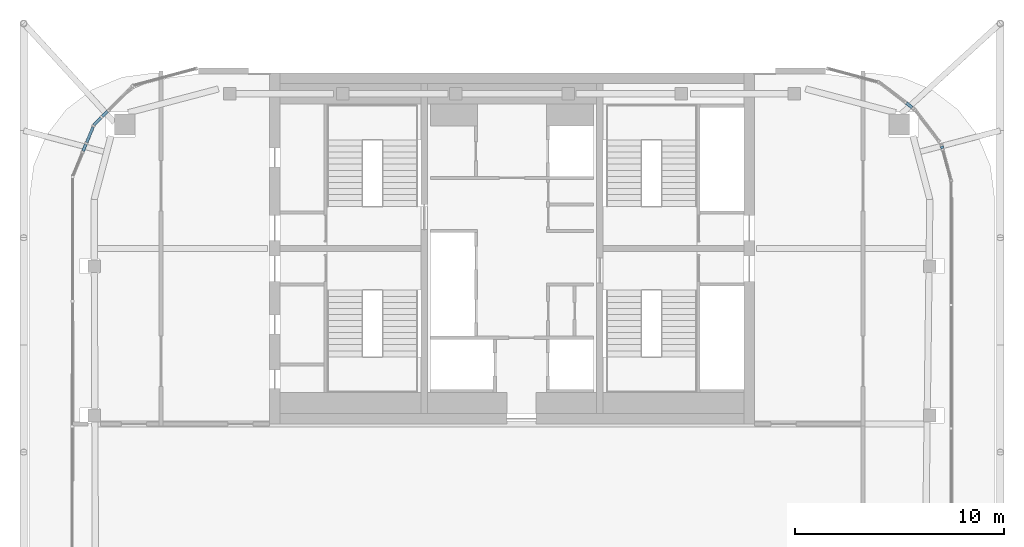
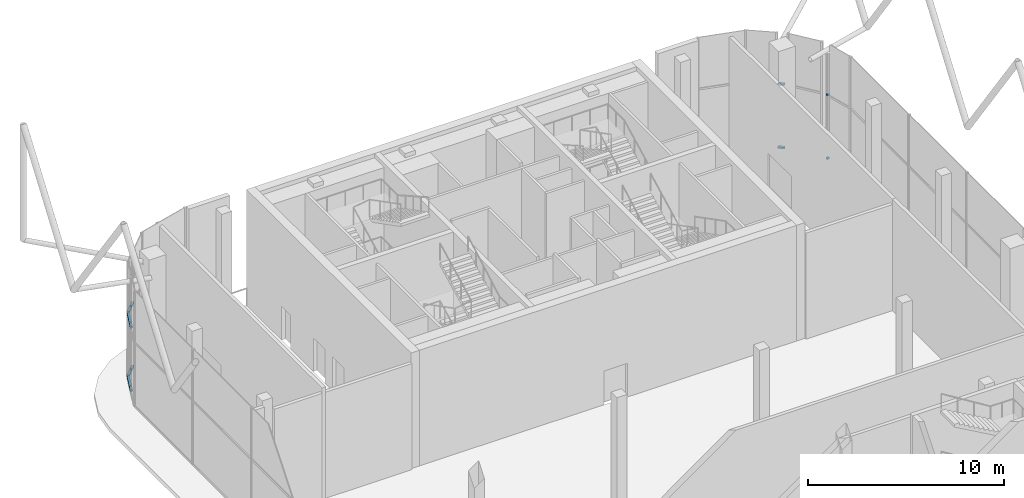
# One storey, part 11 of 25: 12 members, 6 elements without a shape of their own.
"""IFC4 building model written with IfcOpenShell, lengths in metres."""

from ifc_helpers import new_model, si_unit, direction, frame, origin, origin_2d, place, context, subcontext, project, spatial, rectangle, extrude, material, layer, layer_set, material_profile, profile_set, type_object, element, aggregate, save


model = new_model("IFC4")

# Units and contexts
model_context = context("Model", 3, precision=1e-05, world=origin(), true_north=direction((0.0, 1.0)))
body_context = subcontext(model_context, "Body", "Model", "MODEL_VIEW")
ifc_project = project(units=[si_unit("LENGTHUNIT", "METRE"), si_unit("AREAUNIT", "SQUARE_METRE"), si_unit("VOLUMEUNIT", "CUBIC_METRE"), si_unit("PLANEANGLEUNIT", "RADIAN"), si_unit("MASSUNIT", "GRAM", prefix="KILO")], contexts=[model_context])

# Site, building, storey
site_placement = place(None, origin())
site = spatial("IfcSite", under=ifc_project, at=site_placement, CompositionType="ELEMENT")
building_placement = place(site_placement, origin())
building = spatial("IfcBuilding", under=site, at=building_placement, Name="Marenta Gate Hotel Tower", CompositionType="ELEMENT")
storey_placement = place(building_placement, frame((0.0, 0.0, 281.300048828125)))
storey = spatial("IfcBuildingStorey", under=building, at=storey_placement, Name="L65", CompositionType="ELEMENT", Elevation=281.300048828125)

# Curtain wall, members
ifc_material_1 = material(Name="Tinted insulated glass in bronze anodised frame", Category="glass")
ifc_layer = layer(ifc_material_1, 0.139892578125)
ifc_layer_set = layer_set([ifc_layer], Name="Tinted insulated glass in bronze anodised frame")
curtain_wall_type = type_object("IfcCurtainWallType", Name="Observation deck structural glazing CW3", PredefinedType="NOTDEFINED", material=ifc_layer_set)
curtain_wall_1_placement = place(storey_placement, origin())
curtain_wall_1 = element("IfcCurtainWall", 1, at=curtain_wall_1_placement, inside=storey, type_object=curtain_wall_type, Name="CW3 run G02", PredefinedType="NOTDEFINED")
ifc_material_2 = material(Name="Bronze anodised aluminium", Category="aluminium")
ifc_material_profile = material_profile(ifc_material_2, rectangle(XDim=0.139892578125, YDim=0.10009765625, at=origin_2d()), Name="Transom CW3 100x140 bronze anodised aluminium")
ifc_profile_set = profile_set([ifc_material_profile], Name="Bronze anodised aluminium")
member_type = type_object("IfcMemberType", Name="Transom CW3 100x140 bronze anodised aluminium", PredefinedType="USERDEFINED", material=ifc_profile_set)
member_1_placement = place(storey_placement, frame((-19.35302734375, 14.96630859375, 0.050048828125), z_axis=(-0.706761261199, -0.707452132422, 0.0), x_axis=(0.707452132422, -0.706761261199, 0.0)))
member_1 = element("IfcMember", 2, at=member_1_placement, type_object=member_type, Name="CW3 transom 1.1", ObjectType="TRANSOM", PredefinedType="USERDEFINED", context=body_context, shape_type="SweptSolid", body=[
    extrude(rectangle(XDim=0.139892578125, YDim=0.10009765625, at=origin_2d()), origin(), (0.0, 0.0, 1.0), 0.353271484375),
])
member_2_placement = place(storey_placement, frame((-19.35302734375, 14.96630859375, 4.0), z_axis=(-0.706761261199, -0.707452132422, 0.0), x_axis=(0.707452132422, -0.706761261199, 0.0)))
member_2 = element("IfcMember", 3, at=member_2_placement, type_object=member_type, Name="CW3 transom 1.2", ObjectType="TRANSOM", PredefinedType="USERDEFINED", context=body_context, shape_type="SweptSolid", body=[
    extrude(rectangle(XDim=0.139892578125, YDim=0.10009765625, at=origin_2d()), origin(), (0.0, 0.0, 1.0), 0.353271484375),
])
aggregate(curtain_wall_1, [member_1, member_2])

curtain_wall_2_placement = place(storey_placement, origin())
curtain_wall_2 = element("IfcCurtainWall", 4, at=curtain_wall_2_placement, inside=storey, type_object=curtain_wall_type, Name="CW3 run G03", PredefinedType="NOTDEFINED")
member_3_placement = place(storey_placement, frame((-19.673583984375, 14.6455078125, 0.050048828125), z_axis=(-0.707106781187, -0.707106781187, 0.0), x_axis=(0.707106781187, -0.707106781187, 0.0)))
member_3 = element("IfcMember", 5, at=member_3_placement, type_object=member_type, Name="CW3 transom 1.1", ObjectType="TRANSOM", PredefinedType="USERDEFINED", context=body_context, shape_type="SweptSolid", body=[
    extrude(rectangle(XDim=0.139892578125, YDim=0.10009765625, at=origin_2d()), origin(), (0.0, 0.0, 1.0), 0.47900390625),
])
member_4_placement = place(storey_placement, frame((-19.673583984375, 14.6455078125, 4.0), z_axis=(-0.707106781187, -0.707106781187, 0.0), x_axis=(0.707106781187, -0.707106781187, 0.0)))
member_4 = element("IfcMember", 6, at=member_4_placement, type_object=member_type, Name="CW3 transom 1.2", ObjectType="TRANSOM", PredefinedType="USERDEFINED", context=body_context, shape_type="SweptSolid", body=[
    extrude(rectangle(XDim=0.139892578125, YDim=0.10009765625, at=origin_2d()), origin(), (0.0, 0.0, 1.0), 0.47900390625),
])
aggregate(curtain_wall_2, [member_3, member_4])

curtain_wall_3_placement = place(storey_placement, origin())
curtain_wall_3 = element("IfcCurtainWall", 7, at=curtain_wall_3_placement, inside=storey, type_object=curtain_wall_type, Name="CW3 run G04", PredefinedType="NOTDEFINED")
member_5_placement = place(storey_placement, frame((-20.050537109375, 14.214599609375, 0.050048828125), z_axis=(-0.382658209056, -0.923889979945, 0.0), x_axis=(0.923889979945, -0.382658209056, 0.0)))
member_5 = element("IfcMember", 8, at=member_5_placement, type_object=member_type, Name="CW3 transom 1.1", ObjectType="TRANSOM", PredefinedType="USERDEFINED", context=body_context, shape_type="SweptSolid", body=[
    extrude(rectangle(XDim=0.139892578125, YDim=0.10009765625, at=origin_2d()), origin(), (0.0, 0.0, 1.0), 0.797607421875),
])
member_6_placement = place(storey_placement, frame((-20.050537109375, 14.214599609375, 4.0), z_axis=(-0.382658209056, -0.923889979945, 0.0), x_axis=(0.923889979945, -0.382658209056, 0.0)))
member_6 = element("IfcMember", 9, at=member_6_placement, type_object=member_type, Name="CW3 transom 1.2", ObjectType="TRANSOM", PredefinedType="USERDEFINED", context=body_context, shape_type="SweptSolid", body=[
    extrude(rectangle(XDim=0.139892578125, YDim=0.10009765625, at=origin_2d()), origin(), (0.0, 0.0, 1.0), 0.797607421875),
])
aggregate(curtain_wall_3, [member_5, member_6])

curtain_wall_4_placement = place(storey_placement, origin())
curtain_wall_4 = element("IfcCurtainWall", 10, at=curtain_wall_4_placement, inside=storey, type_object=curtain_wall_type, Name="CW3 run G05", PredefinedType="NOTDEFINED")
member_7_placement = place(storey_placement, frame((-20.393798828125, 13.385498046875, 0.050048828125), z_axis=(-0.382915404156, -0.923783412527, 0.0), x_axis=(0.923783412527, -0.382915404156, 0.0)))
member_7 = element("IfcMember", 11, at=member_7_placement, type_object=member_type, Name="CW3 transom 1.1", ObjectType="TRANSOM", PredefinedType="USERDEFINED", context=body_context, shape_type="SweptSolid", body=[
    extrude(rectangle(XDim=0.139892578125, YDim=0.10009765625, at=origin_2d()), origin(), (0.0, 0.0, 1.0), 0.35693359375),
])
member_8_placement = place(storey_placement, frame((-20.393798828125, 13.385498046875, 4.0), z_axis=(-0.382915404156, -0.923783412527, 0.0), x_axis=(0.923783412527, -0.382915404156, 0.0)))
member_8 = element("IfcMember", 12, at=member_8_placement, type_object=member_type, Name="CW3 transom 1.2", ObjectType="TRANSOM", PredefinedType="USERDEFINED", context=body_context, shape_type="SweptSolid", body=[
    extrude(rectangle(XDim=0.139892578125, YDim=0.10009765625, at=origin_2d()), origin(), (0.0, 0.0, 1.0), 0.35693359375),
])
aggregate(curtain_wall_4, [member_7, member_8])

curtain_wall_5_placement = place(storey_placement, origin())
curtain_wall_5 = element("IfcCurtainWall", 13, at=curtain_wall_5_placement, inside=storey, type_object=curtain_wall_type, Name="CW3 run G37", PredefinedType="NOTDEFINED")
member_9_placement = place(storey_placement, frame((20.599609375, 13.17724609375, 0.050048828125), z_axis=(-0.258180979791, 0.966096569539, 0.0), x_axis=(-0.966096569539, -0.258180979791, 0.0)))
member_9 = element("IfcMember", 14, at=member_9_placement, type_object=member_type, Name="CW3 transom 1.1", ObjectType="TRANSOM", PredefinedType="USERDEFINED", context=body_context, shape_type="SweptSolid", body=[
    extrude(rectangle(XDim=0.139892578125, YDim=0.10009765625, at=origin_2d()), origin(), (0.0, 0.0, 1.0), 0.1171875),
])
member_10_placement = place(storey_placement, frame((20.599609375, 13.17724609375, 4.0), z_axis=(-0.258180979791, 0.966096569539, 0.0), x_axis=(-0.966096569539, -0.258180979791, 0.0)))
member_10 = element("IfcMember", 15, at=member_10_placement, type_object=member_type, Name="CW3 transom 1.2", ObjectType="TRANSOM", PredefinedType="USERDEFINED", context=body_context, shape_type="SweptSolid", body=[
    extrude(rectangle(XDim=0.139892578125, YDim=0.10009765625, at=origin_2d()), origin(), (0.0, 0.0, 1.0), 0.1171875),
])
aggregate(curtain_wall_5, [member_9, member_10])

curtain_wall_6_placement = place(storey_placement, origin())
curtain_wall_6 = element("IfcCurtainWall", 16, at=curtain_wall_6_placement, inside=storey, type_object=curtain_wall_type, Name="CW3 run G39", PredefinedType="NOTDEFINED")
member_11_placement = place(storey_placement, frame((19.154541015625, 15.140380859375, 0.050048828125), z_axis=(-0.793278862834, 0.608858477628, 0.0), x_axis=(-0.608858477628, -0.793278862834, 0.0)))
member_11 = element("IfcMember", 17, at=member_11_placement, type_object=member_type, Name="CW3 transom 1.1", ObjectType="TRANSOM", PredefinedType="USERDEFINED", context=body_context, shape_type="SweptSolid", body=[
    extrude(rectangle(XDim=0.139892578125, YDim=0.10009765625, at=origin_2d()), origin(), (0.0, 0.0, 1.0), 0.360107421875),
])
member_12_placement = place(storey_placement, frame((19.154541015625, 15.140380859375, 4.0), z_axis=(-0.793278862834, 0.608858477628, 0.0), x_axis=(-0.608858477628, -0.793278862834, 0.0)))
member_12 = element("IfcMember", 18, at=member_12_placement, type_object=member_type, Name="CW3 transom 1.2", ObjectType="TRANSOM", PredefinedType="USERDEFINED", context=body_context, shape_type="SweptSolid", body=[
    extrude(rectangle(XDim=0.139892578125, YDim=0.10009765625, at=origin_2d()), origin(), (0.0, 0.0, 1.0), 0.360107421875),
])
aggregate(curtain_wall_6, [member_11, member_12])

save(model, "model.ifc")
